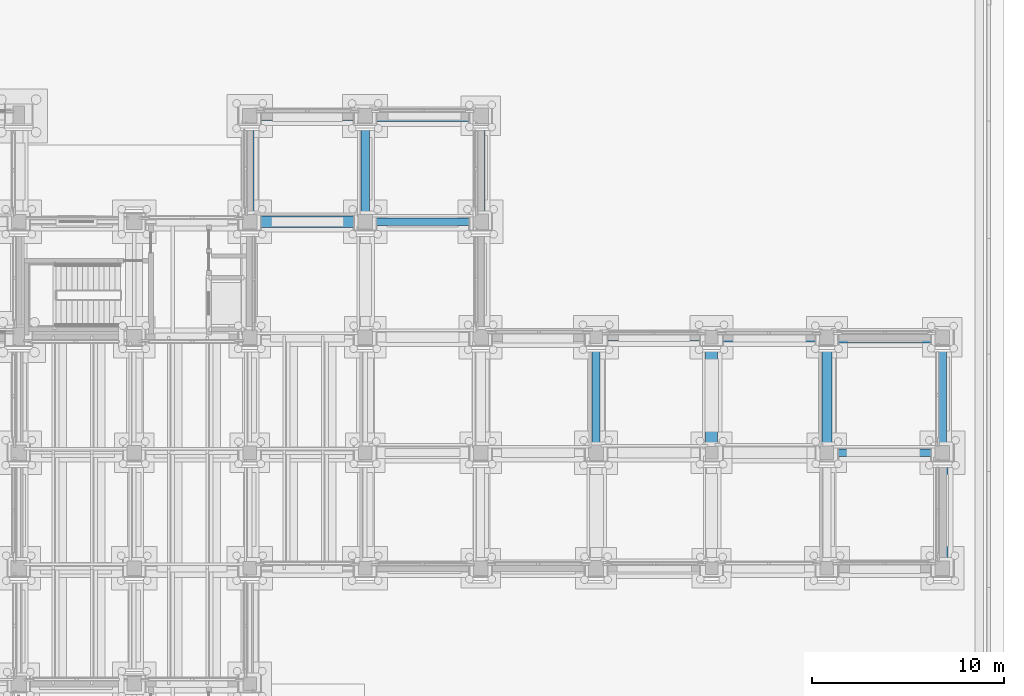
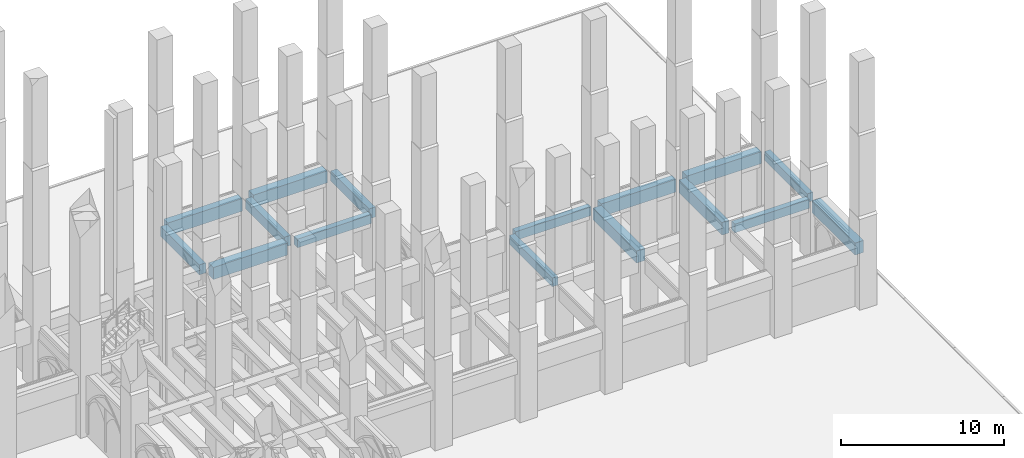
# One storey, part 48 of 135: 16 beams.
"""IFC4 building model written with IfcOpenShell, lengths in metres."""

from ifc_helpers import new_model, si_unit, direction, frame, origin, origin_2d, place, context, subcontext, project, spatial, rectangle, extrude, material, material_profile, profile_set, type_object, element, save


model = new_model("IFC4")

# Units and contexts
model_context = context("Model", 3, precision=1e-05, world=origin(), true_north=direction((0.0, 1.0)))
body_context = subcontext(model_context, "Body", "Model", "MODEL_VIEW")
ifc_project = project(units=[si_unit("LENGTHUNIT", "METRE"), si_unit("AREAUNIT", "SQUARE_METRE"), si_unit("VOLUMEUNIT", "CUBIC_METRE"), si_unit("PLANEANGLEUNIT", "RADIAN"), si_unit("MASSUNIT", "GRAM", prefix="KILO")], contexts=[model_context])

# Site, building, storey
site_placement = place(None, origin())
site = spatial("IfcSite", under=ifc_project, at=site_placement, CompositionType="ELEMENT")
building_placement = place(site_placement, origin())
building = spatial("IfcBuilding", under=site, at=building_placement, Name="Cumevento Cable Car Station", CompositionType="ELEMENT")
storey_placement = place(building_placement, origin())
storey = spatial("IfcBuildingStorey", under=building, at=storey_placement, Name="L01", CompositionType="ELEMENT", Elevation=0.0)

# Beams
ifc_material_1 = material(Name="Concrete C40/50", Category="concrete")
ifc_material_profile_1 = material_profile(ifc_material_1, rectangle(XDim=0.60009765625, YDim=0.89990234375, at=origin_2d()), Name="RC600x900")
ifc_profile_set_1 = profile_set([ifc_material_profile_1], Name="Concrete C40/50")
beam_type_1 = type_object("IfcBeamType", Name="Structural Beam TB-01 RC600x900", PredefinedType="BEAM", material=ifc_profile_set_1)
beam_1_placement = place(storey_placement, frame((160.375, 45.0, 3.800048828125), z_axis=(1.0, 0.0, 0.0), x_axis=(0.0, 1.0, 0.0)))
element("IfcBeam", 1, at=beam_1_placement, inside=storey, type_object=beam_type_1, Name="Beam TB-01 L01 #280", PredefinedType="BEAM", context=body_context, shape_type="SweptSolid", body=[
    extrude(rectangle(XDim=0.60009765625, YDim=0.89990234375, at=origin_2d()), origin(), (0.0, 0.0, 1.0), 5.25),
])
beam_2_placement = place(storey_placement, frame((154.0, 39.324951171875, 3.800048828125), z_axis=(0.0, 1.0, 0.0), x_axis=(-1.0, 0.0, 0.0)))
element("IfcBeam", 2, at=beam_2_placement, inside=storey, type_object=beam_type_1, Name="Beam TB-01 L01 #286", PredefinedType="BEAM", context=body_context, shape_type="SweptSolid", body=[
    extrude(rectangle(XDim=0.60009765625, YDim=0.89990234375, at=origin_2d()), origin(), (0.0, 0.0, 1.0), 5.324951171875),
])
for number, where, z_axis, x_axis, name in (
    (3, (166.0, 33.375, 3.800048828125), (0.0, 1.0, 0.0), (-1.0, 0.0, 0.0), "Beam TB-01 L01 #289"),
    (4, (130.375, 51.0, 3.837890625), (1.0, 0.0, 0.0), (0.0, 1.0, 0.0), "Beam TB-01 L01 #295"),
):
    element("IfcBeam", number, at=place(storey_placement, frame(where, z_axis=z_axis, x_axis=x_axis)), inside=storey, type_object=beam_type_1, Name=name, PredefinedType="BEAM", context=body_context, shape_type="SweptSolid", body=[
        extrude(rectangle(XDim=0.60009765625, YDim=0.89990234375, at=origin_2d()), origin(), (0.0, 0.0, 1.0), 5.25),
    ])
beam_3_placement = place(storey_placement, frame((136.375, 56.5, 3.800048828125), z_axis=(1.0, 0.0, 0.0), x_axis=(0.0, 1.0, 0.0)))
element("IfcBeam", 5, at=beam_3_placement, inside=storey, type_object=beam_type_1, Name="Beam TB-01 L01 #298", PredefinedType="BEAM", context=body_context, shape_type="SweptSolid", body=[
    extrude(rectangle(XDim=0.60009765625, YDim=0.89990234375, at=origin_2d()), origin(), (0.0, 0.0, 1.0), 5.22509765625),
])
ifc_material_2 = material(Name="Concrete C40/50", Category="concrete")
ifc_material_profile_2 = material_profile(ifc_material_2, rectangle(XDim=0.449951171875, YDim=0.75, at=origin_2d()), Name="RC450x750")
ifc_profile_set_2 = profile_set([ifc_material_profile_2], Name="Concrete C40/50")
beam_type_2 = type_object("IfcBeamType", Name="Structural Beam TB-02 RC450x750", PredefinedType="BEAM", material=ifc_profile_set_2)
for number, where, z_axis, x_axis, name in (
    (6, (130.0, 51.375, 3.9130859375), (0.0, 1.0, 0.0), (-1.0, 0.0, 0.0), "Beam TB-02 L01 #299"),
    (7, (136.0, 51.375, 3.875), (0.0, 1.0, 0.0), (-1.0, 0.0, 0.0), "Beam TB-02 L01 #301"),
):
    element("IfcBeam", number, at=place(storey_placement, frame(where, z_axis=z_axis, x_axis=x_axis)), inside=storey, type_object=beam_type_2, Name=name, PredefinedType="BEAM", context=body_context, shape_type="SweptSolid", body=[
        extrude(rectangle(XDim=0.449951171875, YDim=0.75, at=origin_2d()), origin(), (0.0, 0.0, 1.0), 4.75),
    ])
beam_4_placement = place(storey_placement, frame((142.0, 51.39990234375, 3.875), z_axis=(0.0, 1.0, 0.0), x_axis=(-1.0, 0.0, 0.0)))
element("IfcBeam", 8, at=beam_4_placement, inside=storey, type_object=beam_type_2, Name="Beam TB-02 L01 #303", PredefinedType="BEAM", context=body_context, shape_type="SweptSolid", body=[
    extrude(rectangle(XDim=0.449951171875, YDim=0.75, at=origin_2d()), origin(), (0.0, 0.0, 1.0), 4.7001953125),
])
ifc_material_3 = material(Name="Concrete C40/50", Category="concrete")
ifc_material_profile_3 = material_profile(ifc_material_3, rectangle(XDim=0.39990234375, YDim=0.64990234375, at=origin_2d()), Name="RC400x650")
ifc_profile_set_3 = profile_set([ifc_material_profile_3], Name="Concrete C40/50")
beam_type_3 = type_object("IfcBeamType", Name="Structural Beam TB-03 RC400x650", PredefinedType="BEAM", material=ifc_profile_set_3)
beam_5_placement = place(storey_placement, frame((160.35009765625, 39.0, 3.925048828125), z_axis=(1.0, 0.0, 0.0), x_axis=(0.0, 1.0, 0.0)))
element("IfcBeam", 9, at=beam_5_placement, inside=storey, type_object=beam_type_3, Name="Beam TB-03 L01 #275", PredefinedType="BEAM", context=body_context, shape_type="SweptSolid", body=[
    extrude(rectangle(XDim=0.39990234375, YDim=0.64990234375, at=origin_2d()), origin(), (0.0, 0.0, 1.0), 5.27490234375),
])
beam_6_placement = place(storey_placement, frame((148.324951171875, 45.0, 3.925048828125), z_axis=(1.0, 0.0, 0.0), x_axis=(0.0, 1.0, 0.0)))
element("IfcBeam", 10, at=beam_6_placement, inside=storey, type_object=beam_type_3, Name="Beam TB-03 L01 #278", PredefinedType="BEAM", context=body_context, shape_type="SweptSolid", body=[
    extrude(rectangle(XDim=0.39990234375, YDim=0.64990234375, at=origin_2d()), origin(), (0.0, 0.0, 1.0), 5.324951171875),
])
beam_7_placement = place(storey_placement, frame((148.0, 39.39990234375, 3.925048828125), z_axis=(0.0, 1.0, 0.0), x_axis=(-1.0, 0.0, 0.0)))
element("IfcBeam", 11, at=beam_7_placement, inside=storey, type_object=beam_type_3, Name="Beam TB-03 L01 #284", PredefinedType="BEAM", context=body_context, shape_type="SweptSolid", body=[
    extrude(rectangle(XDim=0.39990234375, YDim=0.64990234375, at=origin_2d()), origin(), (0.0, 0.0, 1.0), 5.275146484375),
])
beam_8_placement = place(storey_placement, frame((166.0, 39.375, 3.925048828125), z_axis=(0.0, 1.0, 0.0), x_axis=(-1.0, 0.0, 0.0)))
element("IfcBeam", 12, at=beam_8_placement, inside=storey, type_object=beam_type_3, Name="Beam TB-03 L01 #290", PredefinedType="BEAM", context=body_context, shape_type="SweptSolid", body=[
    extrude(rectangle(XDim=0.39990234375, YDim=0.64990234375, at=origin_2d()), origin(), (0.0, 0.0, 1.0), 5.25),
])
beam_9_placement = place(storey_placement, frame((136.375, 51.0, 3.925048828125), z_axis=(1.0, 0.0, 0.0), x_axis=(0.0, 1.0, 0.0)))
element("IfcBeam", 13, at=beam_9_placement, inside=storey, type_object=beam_type_3, Name="Beam TB-03 L01 #296", PredefinedType="BEAM", context=body_context, shape_type="SweptSolid", body=[
    extrude(rectangle(XDim=0.39990234375, YDim=0.64990234375, at=origin_2d()), origin(), (0.0, 0.0, 1.0), 5.22509765625),
])
ifc_material_4 = material(Name="Concrete C40/50", Category="concrete")
ifc_material_profile_4 = material_profile(ifc_material_4, rectangle(XDim=0.5, YDim=0.949951171875, at=origin_2d()), Name="RC500x950")
ifc_profile_set_4 = profile_set([ifc_material_profile_4], Name="Concrete C40/50")
beam_type_4 = type_object("IfcBeamType", Name="Structural Beam TB-04 RC500x950", PredefinedType="BEAM", material=ifc_profile_set_4)
for number, where, z_axis, x_axis, name in (
    (14, (154.35009765625, 45.0, 3.77490234375), (1.0, 0.0, 0.0), (0.0, 1.0, 0.0), "Beam TB-04 L01 #279"),
    (15, (160.0, 39.35009765625, 3.77490234375), (0.0, 1.0, 0.0), (-1.0, 0.0, 0.0), "Beam TB-04 L01 #288"),
):
    element("IfcBeam", number, at=place(storey_placement, frame(where, z_axis=z_axis, x_axis=x_axis)), inside=storey, type_object=beam_type_4, Name=name, PredefinedType="BEAM", context=body_context, shape_type="SweptSolid", body=[
        extrude(rectangle(XDim=0.5, YDim=0.949951171875, at=origin_2d()), origin(), (0.0, 0.0, 1.0), 5.27490234375),
    ])
beam_10_placement = place(storey_placement, frame((130.375, 56.5, 3.77490234375), z_axis=(1.0, 0.0, 0.0), x_axis=(0.0, 1.0, 0.0)))
element("IfcBeam", 16, at=beam_10_placement, inside=storey, type_object=beam_type_4, Name="Beam TB-04 L01 #297", PredefinedType="BEAM", context=body_context, shape_type="SweptSolid", body=[
    extrude(rectangle(XDim=0.5, YDim=0.949951171875, at=origin_2d()), origin(), (0.0, 0.0, 1.0), 5.25),
])

save(model, "model.ifc")
